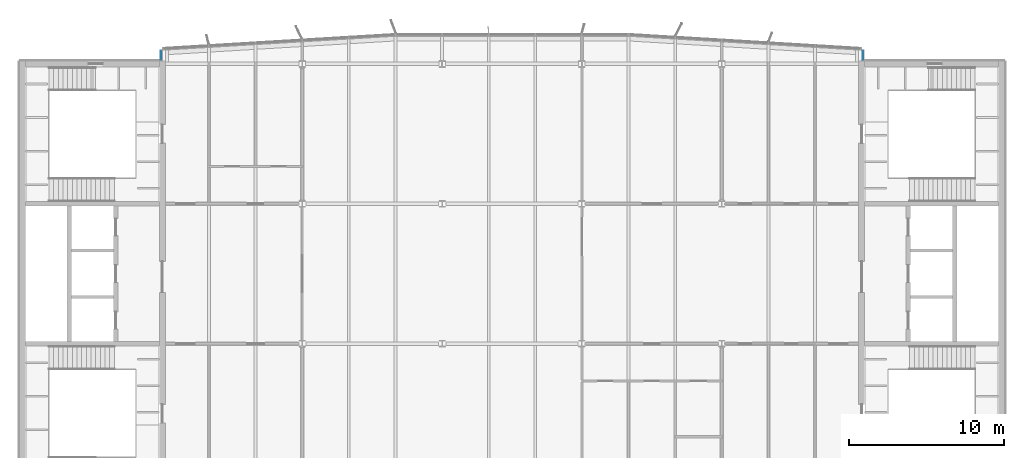
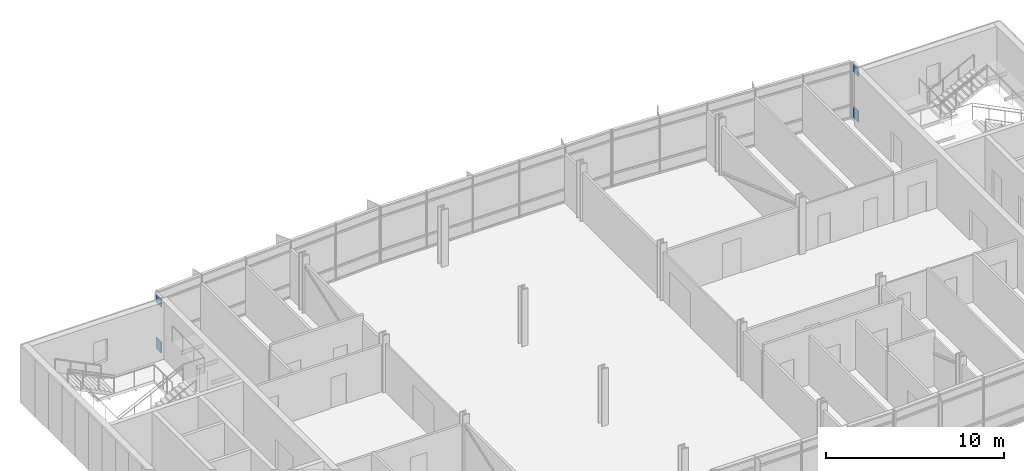
# One storey, part 14 of 21: 4 plates, 2 elements without a shape of their own.
"""IFC4 building model written with IfcOpenShell, lengths in metres."""

from ifc_helpers import new_model, si_unit, direction, frame, origin, origin_2d, place, context, subcontext, project, spatial, rectangle, extrude, material, layer, layer_set, type_object, element, aggregate, save


model = new_model("IFC4")

# Units and contexts
model_context = context("Model", 3, precision=1e-05, world=origin(), true_north=direction((0.0, 1.0)))
body_context = subcontext(model_context, "Body", "Model", "MODEL_VIEW")
ifc_project = project(units=[si_unit("LENGTHUNIT", "METRE"), si_unit("AREAUNIT", "SQUARE_METRE"), si_unit("VOLUMEUNIT", "CUBIC_METRE"), si_unit("PLANEANGLEUNIT", "RADIAN"), si_unit("MASSUNIT", "GRAM", prefix="KILO")], contexts=[model_context])

# Site, building, storey
site_placement = place(None, origin())
site = spatial("IfcSite", under=ifc_project, at=site_placement, CompositionType="ELEMENT")
building_placement = place(site_placement, origin())
building = spatial("IfcBuilding", under=site, at=building_placement, Name="Azimuth Sports and Learning Centre", CompositionType="ELEMENT")
storey_placement = place(building_placement, frame((0.0, 0.0, 32.39990234375)))
storey = spatial("IfcBuildingStorey", under=building, at=storey_placement, Name="L06", CompositionType="ELEMENT", Elevation=32.39990234375)

# Curtain wall, plates
ifc_material_1 = material(Name="Aluminium and glass", Category="aluminium")
curtain_wall_type = type_object("IfcCurtainWallType", Name="Curtain wall tower return 180", PredefinedType="NOTDEFINED", material=ifc_material_1)
curtain_wall_1_placement = place(storey_placement, origin())
curtain_wall_1 = element("IfcCurtainWall", 1, at=curtain_wall_1_placement, inside=storey, type_object=curtain_wall_type, Name="Curtain wall CW06-006", PredefinedType="NOTDEFINED")
ifc_material_2 = material(Name="Insulated aluminium panel", Category="aluminium")
ifc_layer = layer(ifc_material_2, 0.050048828125)
ifc_layer_set = layer_set([ifc_layer], Name="Insulated aluminium panel")
plate_type = type_object("IfcPlateType", Name="Spandrel panel 50 mm", PredefinedType="CURTAIN_PANEL", material=ifc_layer_set)
plate_1_placement = place(storey_placement, frame((108.090087890625, 117.550048828125, 0.10009765625), z_axis=(0.0, 0.0, 1.0), x_axis=(0.0, 1.0, 0.0)))
plate_1 = element("IfcPlate", 2, at=plate_1_placement, type_object=plate_type, Name="CW06-006 panel 1.1", PredefinedType="CURTAIN_PANEL", context=body_context, shape_type="SweptSolid", body=[
    extrude(rectangle(XDim=0.580078125, YDim=0.050048828125, at=origin_2d()), origin(), (0.0, 0.0, 1.0), 0.75),
])
plate_2_placement = place(storey_placement, frame((108.090087890625, 117.550048828125, 3.25), z_axis=(0.0, 0.0, 1.0), x_axis=(0.0, 1.0, 0.0)))
plate_2 = element("IfcPlate", 3, at=plate_2_placement, type_object=plate_type, Name="CW06-006 panel 1.3", PredefinedType="CURTAIN_PANEL", context=body_context, shape_type="SweptSolid", body=[
    extrude(rectangle(XDim=0.580078125, YDim=0.050048828125, at=origin_2d()), origin(), (0.0, 0.0, 1.0), 0.550048828125),
])
aggregate(curtain_wall_1, [plate_1, plate_2])

curtain_wall_2_placement = place(storey_placement, origin())
curtain_wall_2 = element("IfcCurtainWall", 4, at=curtain_wall_2_placement, inside=storey, type_object=curtain_wall_type, Name="Curtain wall CW06-010", PredefinedType="NOTDEFINED")
plate_3_placement = place(storey_placement, frame((62.909912109375, 117.550048828125, 0.10009765625), z_axis=(0.0, 0.0, 1.0), x_axis=(0.0, -1.0, 0.0)))
plate_3 = element("IfcPlate", 5, at=plate_3_placement, type_object=plate_type, Name="CW06-010 panel 1.1", PredefinedType="CURTAIN_PANEL", context=body_context, shape_type="SweptSolid", body=[
    extrude(rectangle(XDim=0.580078125, YDim=0.050048828125, at=origin_2d()), origin(), (0.0, 0.0, 1.0), 0.75),
])
plate_4_placement = place(storey_placement, frame((62.909912109375, 117.550048828125, 3.25), z_axis=(0.0, 0.0, 1.0), x_axis=(0.0, -1.0, 0.0)))
plate_4 = element("IfcPlate", 6, at=plate_4_placement, type_object=plate_type, Name="CW06-010 panel 1.3", PredefinedType="CURTAIN_PANEL", context=body_context, shape_type="SweptSolid", body=[
    extrude(rectangle(XDim=0.580078125, YDim=0.050048828125, at=origin_2d()), origin(), (0.0, 0.0, 1.0), 0.550048828125),
])
aggregate(curtain_wall_2, [plate_3, plate_4])

save(model, "model.ifc")
